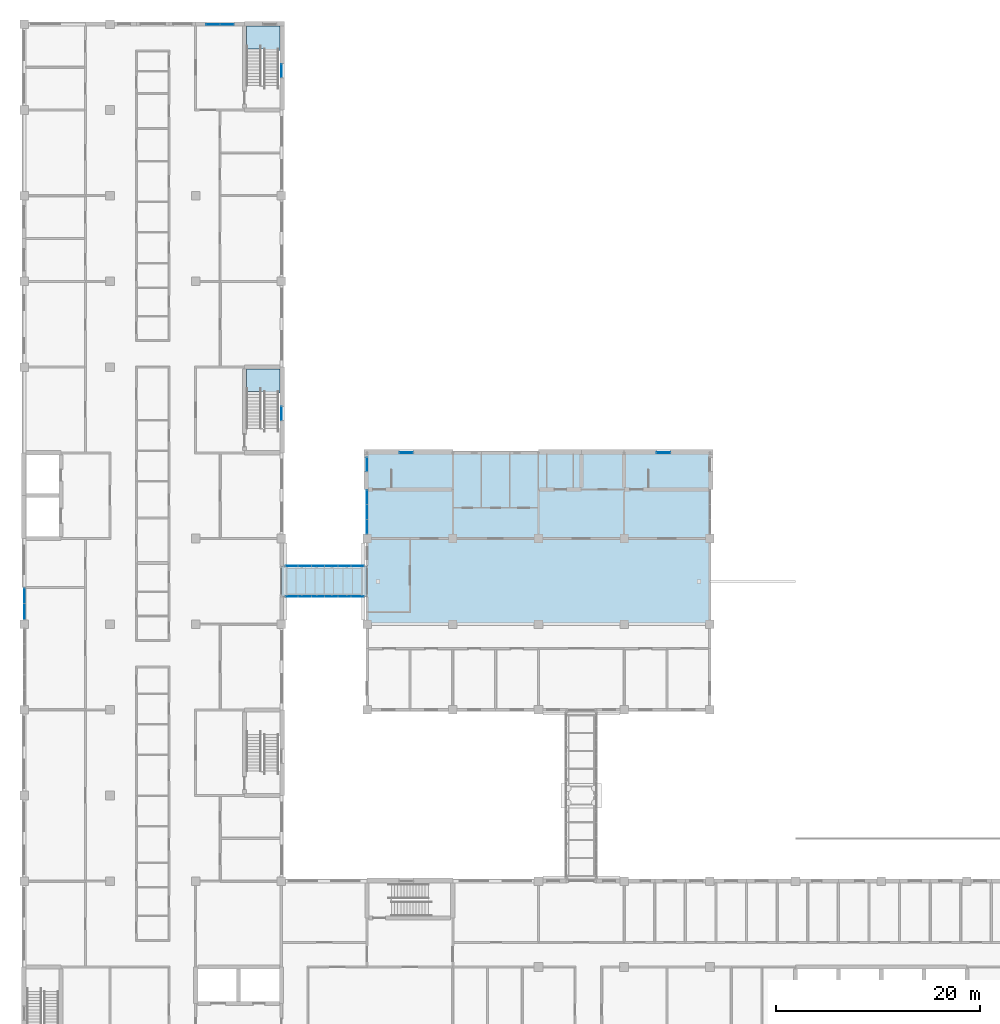
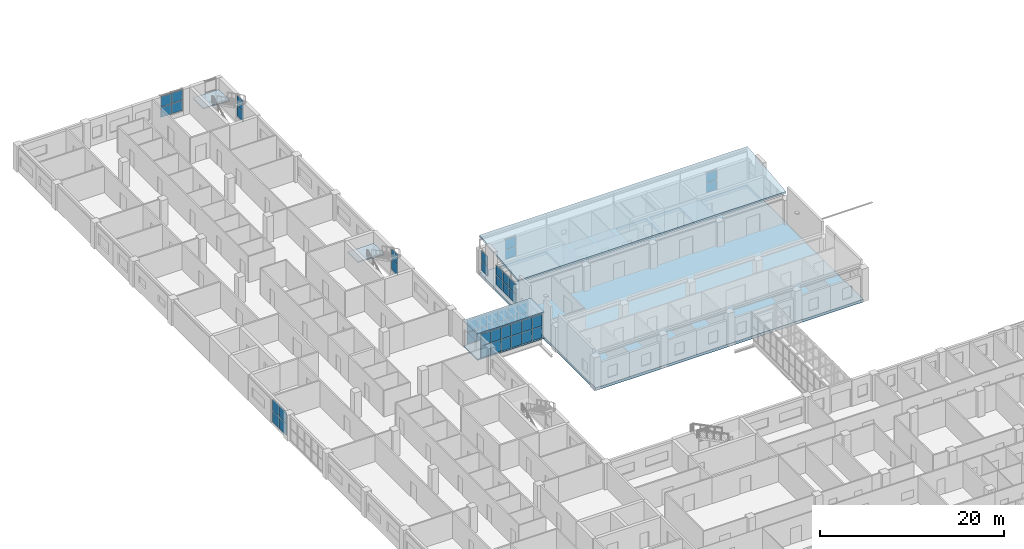
# One storey, part 47 of 94: 48 plates, 6 slabs, 12 elements without a shape of their own.
"""IFC4 building model written with IfcOpenShell, lengths in metres."""

from ifc_helpers import new_model, si_unit, direction, frame, origin, origin_2d, place, context, subcontext, project, spatial, polyline, rectangle, outline, extrude, material, layer, layer_set, type_object, element, aggregate, save


model = new_model("IFC4")

# Units and contexts
model_context = context("Model", 3, precision=1e-05, world=origin(), true_north=direction((0.0, 1.0)))
body_context = subcontext(model_context, "Body", "Model", "MODEL_VIEW")
ifc_project = project(units=[si_unit("LENGTHUNIT", "METRE"), si_unit("AREAUNIT", "SQUARE_METRE"), si_unit("VOLUMEUNIT", "CUBIC_METRE"), si_unit("PLANEANGLEUNIT", "RADIAN"), si_unit("MASSUNIT", "GRAM", prefix="KILO")], contexts=[model_context])

# Site, building, storey
site_placement = place(None, origin())
site = spatial("IfcSite", under=ifc_project, at=site_placement, CompositionType="ELEMENT")
building_placement = place(site_placement, origin())
building = spatial("IfcBuilding", under=site, at=building_placement, Name="Yavir Park General Hospital", CompositionType="ELEMENT")
storey_placement = place(building_placement, frame((0.0, 0.0, 4.5)))
storey = spatial("IfcBuildingStorey", under=building, at=storey_placement, Name="L01", CompositionType="ELEMENT", Elevation=4.5)

# Curtain wall, plates
ifc_material_1 = material(Name="Aluminium curtain wall frame with insulated glazing", Category="aluminium")
curtain_wall_type_1 = type_object("IfcCurtainWallType", Name="Bridge enclosure glazing, 3250 high, 1400 module", PredefinedType="NOTDEFINED", material=ifc_material_1)
curtain_wall_1_placement = place(storey_placement, origin())
curtain_wall_1 = element("IfcCurtainWall", 1, at=curtain_wall_1_placement, inside=storey, type_object=curtain_wall_type_1, Name="CW41 L01-007", PredefinedType="NOTDEFINED")
ifc_material_2 = material(Name="Solar-control insulated glazed unit 40 mm")
ifc_layer_1 = layer(ifc_material_2, 0.0400390625)
ifc_layer_set_1 = layer_set([ifc_layer_1], Name="Solar-control insulated glazed unit 40 mm")
plate_type_1 = type_object("IfcPlateType", Name="Bridge enclosure glazing, 3250 high panel 40", PredefinedType="CURTAIN_PANEL", material=ifc_layer_set_1)
plate_1_placement = place(storey_placement, frame((26.212890625, 61.5, 0.06005859375), z_axis=(0.0, 0.0, 1.0), x_axis=(1.0, 0.0, 0.0)))
plate_1 = element("IfcPlate", 2, at=plate_1_placement, type_object=plate_type_1, Name="CW41 panel 1.1", PredefinedType="CURTAIN_PANEL", context=body_context, shape_type="SweptSolid", body=[
    extrude(rectangle(XDim=1.205810546875, YDim=0.0400390625, at=origin_2d()), origin(), (0.0, 0.0, 1.0), 1.534912109375),
])
plate_2_placement = place(storey_placement, frame((26.212890625, 61.5, 1.6552734375), z_axis=(0.0, 0.0, 1.0), x_axis=(1.0, 0.0, 0.0)))
plate_2 = element("IfcPlate", 3, at=plate_2_placement, type_object=plate_type_1, Name="CW41 panel 1.2", PredefinedType="CURTAIN_PANEL", context=body_context, shape_type="SweptSolid", body=[
    extrude(rectangle(XDim=1.205810546875, YDim=0.0400390625, at=origin_2d()), origin(), (0.0, 0.0, 1.0), 1.534912109375),
])
plate_3_placement = place(storey_placement, frame((27.49365234375, 61.5, 0.06005859375), z_axis=(0.0, 0.0, 1.0), x_axis=(1.0, 0.0, 0.0)))
plate_3 = element("IfcPlate", 4, at=plate_3_placement, type_object=plate_type_1, Name="CW41 panel 2.1", PredefinedType="CURTAIN_PANEL", context=body_context, shape_type="SweptSolid", body=[
    extrude(rectangle(XDim=1.23583984375, YDim=0.0400390625, at=origin_2d()), origin(), (0.0, 0.0, 1.0), 1.534912109375),
])
plate_4_placement = place(storey_placement, frame((27.49365234375, 61.5, 1.6552734375), z_axis=(0.0, 0.0, 1.0), x_axis=(1.0, 0.0, 0.0)))
plate_4 = element("IfcPlate", 5, at=plate_4_placement, type_object=plate_type_1, Name="CW41 panel 2.2", PredefinedType="CURTAIN_PANEL", context=body_context, shape_type="SweptSolid", body=[
    extrude(rectangle(XDim=1.23583984375, YDim=0.0400390625, at=origin_2d()), origin(), (0.0, 0.0, 1.0), 1.534912109375),
])
plate_5_placement = place(storey_placement, frame((28.78955078125, 61.5, 0.06005859375), z_axis=(0.0, 0.0, 1.0), x_axis=(1.0, 0.0, 0.0)))
plate_5 = element("IfcPlate", 6, at=plate_5_placement, type_object=plate_type_1, Name="CW41 panel 3.1", PredefinedType="CURTAIN_PANEL", context=body_context, shape_type="SweptSolid", body=[
    extrude(rectangle(XDim=1.23583984375, YDim=0.0400390625, at=origin_2d()), origin(), (0.0, 0.0, 1.0), 1.534912109375),
])
plate_6_placement = place(storey_placement, frame((28.78955078125, 61.5, 1.6552734375), z_axis=(0.0, 0.0, 1.0), x_axis=(1.0, 0.0, 0.0)))
plate_6 = element("IfcPlate", 7, at=plate_6_placement, type_object=plate_type_1, Name="CW41 panel 3.2", PredefinedType="CURTAIN_PANEL", context=body_context, shape_type="SweptSolid", body=[
    extrude(rectangle(XDim=1.23583984375, YDim=0.0400390625, at=origin_2d()), origin(), (0.0, 0.0, 1.0), 1.534912109375),
])
plate_7_placement = place(storey_placement, frame((30.08544921875, 61.5, 0.06005859375), z_axis=(0.0, 0.0, 1.0), x_axis=(1.0, 0.0, 0.0)))
plate_7 = element("IfcPlate", 8, at=plate_7_placement, type_object=plate_type_1, Name="CW41 panel 4.1", PredefinedType="CURTAIN_PANEL", context=body_context, shape_type="SweptSolid", body=[
    extrude(rectangle(XDim=1.23583984375, YDim=0.0400390625, at=origin_2d()), origin(), (0.0, 0.0, 1.0), 1.534912109375),
])
plate_8_placement = place(storey_placement, frame((30.08544921875, 61.5, 1.6552734375), z_axis=(0.0, 0.0, 1.0), x_axis=(1.0, 0.0, 0.0)))
plate_8 = element("IfcPlate", 9, at=plate_8_placement, type_object=plate_type_1, Name="CW41 panel 4.2", PredefinedType="CURTAIN_PANEL", context=body_context, shape_type="SweptSolid", body=[
    extrude(rectangle(XDim=1.23583984375, YDim=0.0400390625, at=origin_2d()), origin(), (0.0, 0.0, 1.0), 1.534912109375),
])
plate_9_placement = place(storey_placement, frame((31.38134765625, 61.5, 0.06005859375), z_axis=(0.0, 0.0, 1.0), x_axis=(1.0, 0.0, 0.0)))
plate_9 = element("IfcPlate", 10, at=plate_9_placement, type_object=plate_type_1, Name="CW41 panel 5.1", PredefinedType="CURTAIN_PANEL", context=body_context, shape_type="SweptSolid", body=[
    extrude(rectangle(XDim=1.23583984375, YDim=0.0400390625, at=origin_2d()), origin(), (0.0, 0.0, 1.0), 1.534912109375),
])
plate_10_placement = place(storey_placement, frame((31.38134765625, 61.5, 1.6552734375), z_axis=(0.0, 0.0, 1.0), x_axis=(1.0, 0.0, 0.0)))
plate_10 = element("IfcPlate", 11, at=plate_10_placement, type_object=plate_type_1, Name="CW41 panel 5.2", PredefinedType="CURTAIN_PANEL", context=body_context, shape_type="SweptSolid", body=[
    extrude(rectangle(XDim=1.23583984375, YDim=0.0400390625, at=origin_2d()), origin(), (0.0, 0.0, 1.0), 1.534912109375),
])
plate_11_placement = place(storey_placement, frame((32.662109375, 61.5, 0.06005859375), z_axis=(0.0, 0.0, 1.0), x_axis=(1.0, 0.0, 0.0)))
plate_11 = element("IfcPlate", 12, at=plate_11_placement, type_object=plate_type_1, Name="CW41 panel 6.1", PredefinedType="CURTAIN_PANEL", context=body_context, shape_type="SweptSolid", body=[
    extrude(rectangle(XDim=1.205810546875, YDim=0.0400390625, at=origin_2d()), origin(), (0.0, 0.0, 1.0), 1.534912109375),
])
plate_12_placement = place(storey_placement, frame((32.662109375, 61.5, 1.6552734375), z_axis=(0.0, 0.0, 1.0), x_axis=(1.0, 0.0, 0.0)))
plate_12 = element("IfcPlate", 13, at=plate_12_placement, type_object=plate_type_1, Name="CW41 panel 6.2", PredefinedType="CURTAIN_PANEL", context=body_context, shape_type="SweptSolid", body=[
    extrude(rectangle(XDim=1.205810546875, YDim=0.0400390625, at=origin_2d()), origin(), (0.0, 0.0, 1.0), 1.534912109375),
])
aggregate(curtain_wall_1, [plate_1, plate_2, plate_3, plate_4, plate_5, plate_6, plate_7, plate_8, plate_9, plate_10, plate_11, plate_12])

curtain_wall_2_placement = place(storey_placement, origin())
curtain_wall_2 = element("IfcCurtainWall", 14, at=curtain_wall_2_placement, inside=storey, type_object=curtain_wall_type_1, Name="CW41 L01-008", PredefinedType="NOTDEFINED")
plate_13_placement = place(storey_placement, frame((26.212890625, 64.5, 0.06005859375), z_axis=(0.0, 0.0, 1.0), x_axis=(1.0, 0.0, 0.0)))
plate_13 = element("IfcPlate", 15, at=plate_13_placement, type_object=plate_type_1, Name="CW41 panel 1.1", PredefinedType="CURTAIN_PANEL", context=body_context, shape_type="SweptSolid", body=[
    extrude(rectangle(XDim=1.205810546875, YDim=0.0400390625, at=origin_2d()), origin(), (0.0, 0.0, 1.0), 1.534912109375),
])
plate_14_placement = place(storey_placement, frame((26.212890625, 64.5, 1.6552734375), z_axis=(0.0, 0.0, 1.0), x_axis=(1.0, 0.0, 0.0)))
plate_14 = element("IfcPlate", 16, at=plate_14_placement, type_object=plate_type_1, Name="CW41 panel 1.2", PredefinedType="CURTAIN_PANEL", context=body_context, shape_type="SweptSolid", body=[
    extrude(rectangle(XDim=1.205810546875, YDim=0.0400390625, at=origin_2d()), origin(), (0.0, 0.0, 1.0), 1.534912109375),
])
plate_15_placement = place(storey_placement, frame((27.49365234375, 64.5, 0.06005859375), z_axis=(0.0, 0.0, 1.0), x_axis=(1.0, 0.0, 0.0)))
plate_15 = element("IfcPlate", 17, at=plate_15_placement, type_object=plate_type_1, Name="CW41 panel 2.1", PredefinedType="CURTAIN_PANEL", context=body_context, shape_type="SweptSolid", body=[
    extrude(rectangle(XDim=1.23583984375, YDim=0.0400390625, at=origin_2d()), origin(), (0.0, 0.0, 1.0), 1.534912109375),
])
plate_16_placement = place(storey_placement, frame((27.49365234375, 64.5, 1.6552734375), z_axis=(0.0, 0.0, 1.0), x_axis=(1.0, 0.0, 0.0)))
plate_16 = element("IfcPlate", 18, at=plate_16_placement, type_object=plate_type_1, Name="CW41 panel 2.2", PredefinedType="CURTAIN_PANEL", context=body_context, shape_type="SweptSolid", body=[
    extrude(rectangle(XDim=1.23583984375, YDim=0.0400390625, at=origin_2d()), origin(), (0.0, 0.0, 1.0), 1.534912109375),
])
plate_17_placement = place(storey_placement, frame((28.78955078125, 64.5, 0.06005859375), z_axis=(0.0, 0.0, 1.0), x_axis=(1.0, 0.0, 0.0)))
plate_17 = element("IfcPlate", 19, at=plate_17_placement, type_object=plate_type_1, Name="CW41 panel 3.1", PredefinedType="CURTAIN_PANEL", context=body_context, shape_type="SweptSolid", body=[
    extrude(rectangle(XDim=1.23583984375, YDim=0.0400390625, at=origin_2d()), origin(), (0.0, 0.0, 1.0), 1.534912109375),
])
plate_18_placement = place(storey_placement, frame((28.78955078125, 64.5, 1.6552734375), z_axis=(0.0, 0.0, 1.0), x_axis=(1.0, 0.0, 0.0)))
plate_18 = element("IfcPlate", 20, at=plate_18_placement, type_object=plate_type_1, Name="CW41 panel 3.2", PredefinedType="CURTAIN_PANEL", context=body_context, shape_type="SweptSolid", body=[
    extrude(rectangle(XDim=1.23583984375, YDim=0.0400390625, at=origin_2d()), origin(), (0.0, 0.0, 1.0), 1.534912109375),
])
plate_19_placement = place(storey_placement, frame((30.08544921875, 64.5, 0.06005859375), z_axis=(0.0, 0.0, 1.0), x_axis=(1.0, 0.0, 0.0)))
plate_19 = element("IfcPlate", 21, at=plate_19_placement, type_object=plate_type_1, Name="CW41 panel 4.1", PredefinedType="CURTAIN_PANEL", context=body_context, shape_type="SweptSolid", body=[
    extrude(rectangle(XDim=1.23583984375, YDim=0.0400390625, at=origin_2d()), origin(), (0.0, 0.0, 1.0), 1.534912109375),
])
plate_20_placement = place(storey_placement, frame((30.08544921875, 64.5, 1.6552734375), z_axis=(0.0, 0.0, 1.0), x_axis=(1.0, 0.0, 0.0)))
plate_20 = element("IfcPlate", 22, at=plate_20_placement, type_object=plate_type_1, Name="CW41 panel 4.2", PredefinedType="CURTAIN_PANEL", context=body_context, shape_type="SweptSolid", body=[
    extrude(rectangle(XDim=1.23583984375, YDim=0.0400390625, at=origin_2d()), origin(), (0.0, 0.0, 1.0), 1.534912109375),
])
plate_21_placement = place(storey_placement, frame((31.38134765625, 64.5, 0.06005859375), z_axis=(0.0, 0.0, 1.0), x_axis=(1.0, 0.0, 0.0)))
plate_21 = element("IfcPlate", 23, at=plate_21_placement, type_object=plate_type_1, Name="CW41 panel 5.1", PredefinedType="CURTAIN_PANEL", context=body_context, shape_type="SweptSolid", body=[
    extrude(rectangle(XDim=1.23583984375, YDim=0.0400390625, at=origin_2d()), origin(), (0.0, 0.0, 1.0), 1.534912109375),
])
plate_22_placement = place(storey_placement, frame((31.38134765625, 64.5, 1.6552734375), z_axis=(0.0, 0.0, 1.0), x_axis=(1.0, 0.0, 0.0)))
plate_22 = element("IfcPlate", 24, at=plate_22_placement, type_object=plate_type_1, Name="CW41 panel 5.2", PredefinedType="CURTAIN_PANEL", context=body_context, shape_type="SweptSolid", body=[
    extrude(rectangle(XDim=1.23583984375, YDim=0.0400390625, at=origin_2d()), origin(), (0.0, 0.0, 1.0), 1.534912109375),
])
plate_23_placement = place(storey_placement, frame((32.662109375, 64.5, 0.06005859375), z_axis=(0.0, 0.0, 1.0), x_axis=(1.0, 0.0, 0.0)))
plate_23 = element("IfcPlate", 25, at=plate_23_placement, type_object=plate_type_1, Name="CW41 panel 6.1", PredefinedType="CURTAIN_PANEL", context=body_context, shape_type="SweptSolid", body=[
    extrude(rectangle(XDim=1.205810546875, YDim=0.0400390625, at=origin_2d()), origin(), (0.0, 0.0, 1.0), 1.534912109375),
])
plate_24_placement = place(storey_placement, frame((32.662109375, 64.5, 1.6552734375), z_axis=(0.0, 0.0, 1.0), x_axis=(1.0, 0.0, 0.0)))
plate_24 = element("IfcPlate", 26, at=plate_24_placement, type_object=plate_type_1, Name="CW41 panel 6.2", PredefinedType="CURTAIN_PANEL", context=body_context, shape_type="SweptSolid", body=[
    extrude(rectangle(XDim=1.205810546875, YDim=0.0400390625, at=origin_2d()), origin(), (0.0, 0.0, 1.0), 1.534912109375),
])
aggregate(curtain_wall_2, [plate_13, plate_14, plate_15, plate_16, plate_17, plate_18, plate_19, plate_20, plate_21, plate_22, plate_23, plate_24])

ifc_material_3 = material(Name="Aluminium curtain wall frame with insulated glazing", Category="aluminium")
curtain_wall_type_2 = type_object("IfcCurtainWallType", Name="Clinical corridor end glazing, 2700 high, 1400 module", PredefinedType="NOTDEFINED", material=ifc_material_3)
curtain_wall_3_placement = place(storey_placement, origin())
curtain_wall_3 = element("IfcCurtainWall", 27, at=curtain_wall_3_placement, inside=storey, type_object=curtain_wall_type_2, Name="CW54 L01-022", PredefinedType="NOTDEFINED")
ifc_material_4 = material(Name="Solar-control insulated glazed unit 40 mm")
ifc_layer_2 = layer(ifc_material_4, 0.0400390625)
ifc_layer_set_2 = layer_set([ifc_layer_2], Name="Solar-control insulated glazed unit 40 mm")
plate_type_2 = type_object("IfcPlateType", Name="Clinical corridor end glazing, 2700 high panel 40", PredefinedType="CURTAIN_PANEL", material=ifc_layer_set_2)
plate_25_placement = place(storey_placement, frame((33.60009765625, 68.36669921875, 0.650146484375), z_axis=(0.0, 0.0, 1.0), x_axis=(0.0, 1.0, 0.0)))
plate_25 = element("IfcPlate", 28, at=plate_25_placement, type_object=plate_type_2, Name="CW54 panel 1.1", PredefinedType="CURTAIN_PANEL", context=body_context, shape_type="SweptSolid", body=[
    extrude(rectangle(XDim=1.38330078125, YDim=0.0400390625, at=origin_2d()), origin(), (0.0, 0.0, 1.0), 1.27490234375),
])
plate_26_placement = place(storey_placement, frame((33.60009765625, 68.36669921875, 1.97509765625), z_axis=(0.0, 0.0, 1.0), x_axis=(0.0, 1.0, 0.0)))
plate_26 = element("IfcPlate", 29, at=plate_26_placement, type_object=plate_type_2, Name="CW54 panel 1.2", PredefinedType="CURTAIN_PANEL", context=body_context, shape_type="SweptSolid", body=[
    extrude(rectangle(XDim=1.38330078125, YDim=0.0400390625, at=origin_2d()), origin(), (0.0, 0.0, 1.0), 1.27490234375),
])
plate_27_placement = place(storey_placement, frame((33.60009765625, 69.8125, 0.650146484375), z_axis=(0.0, 0.0, 1.0), x_axis=(0.0, 1.0, 0.0)))
plate_27 = element("IfcPlate", 30, at=plate_27_placement, type_object=plate_type_2, Name="CW54 panel 2.1", PredefinedType="CURTAIN_PANEL", context=body_context, shape_type="SweptSolid", body=[
    extrude(rectangle(XDim=1.408447265625, YDim=0.0400390625, at=origin_2d()), origin(), (0.0, 0.0, 1.0), 1.27490234375),
])
plate_28_placement = place(storey_placement, frame((33.60009765625, 69.8125, 1.97509765625), z_axis=(0.0, 0.0, 1.0), x_axis=(0.0, 1.0, 0.0)))
plate_28 = element("IfcPlate", 31, at=plate_28_placement, type_object=plate_type_2, Name="CW54 panel 2.2", PredefinedType="CURTAIN_PANEL", context=body_context, shape_type="SweptSolid", body=[
    extrude(rectangle(XDim=1.408447265625, YDim=0.0400390625, at=origin_2d()), origin(), (0.0, 0.0, 1.0), 1.27490234375),
])
plate_29_placement = place(storey_placement, frame((33.60009765625, 71.25830078125, 0.650146484375), z_axis=(0.0, 0.0, 1.0), x_axis=(0.0, 1.0, 0.0)))
plate_29 = element("IfcPlate", 32, at=plate_29_placement, type_object=plate_type_2, Name="CW54 panel 3.1", PredefinedType="CURTAIN_PANEL", context=body_context, shape_type="SweptSolid", body=[
    extrude(rectangle(XDim=1.38330078125, YDim=0.0400390625, at=origin_2d()), origin(), (0.0, 0.0, 1.0), 1.27490234375),
])
plate_30_placement = place(storey_placement, frame((33.60009765625, 71.25830078125, 1.97509765625), z_axis=(0.0, 0.0, 1.0), x_axis=(0.0, 1.0, 0.0)))
plate_30 = element("IfcPlate", 33, at=plate_30_placement, type_object=plate_type_2, Name="CW54 panel 3.2", PredefinedType="CURTAIN_PANEL", context=body_context, shape_type="SweptSolid", body=[
    extrude(rectangle(XDim=1.38330078125, YDim=0.0400390625, at=origin_2d()), origin(), (0.0, 0.0, 1.0), 1.27490234375),
])
aggregate(curtain_wall_3, [plate_25, plate_26, plate_27, plate_28, plate_29, plate_30])

ifc_material_5 = material(Name="Aluminium curtain wall frame with insulated glazing", Category="aluminium")
curtain_wall_type_3 = type_object("IfcCurtainWallType", Name="Clinical corridor end glazing, 2850 high, 1400 module", PredefinedType="NOTDEFINED", material=ifc_material_5)
curtain_wall_4_placement = place(storey_placement, origin())
curtain_wall_4 = element("IfcCurtainWall", 34, at=curtain_wall_4_placement, inside=storey, type_object=curtain_wall_type_3, Name="CW18 L01-011", PredefinedType="NOTDEFINED")
ifc_material_6 = material(Name="Solar-control insulated glazed unit 40 mm")
ifc_layer_3 = layer(ifc_material_6, 0.0400390625)
ifc_layer_set_3 = layer_set([ifc_layer_3], Name="Solar-control insulated glazed unit 40 mm")
plate_type_3 = type_object("IfcPlateType", Name="Clinical corridor end glazing, 2850 high panel 40", PredefinedType="CURTAIN_PANEL", material=ifc_layer_set_3)
plate_31_placement = place(storey_placement, frame((18.512451171875, 117.60009765625, 0.64990234375), z_axis=(0.0, 0.0, 1.0), x_axis=(1.0, 0.0, 0.0)))
plate_31 = element("IfcPlate", 35, at=plate_31_placement, type_object=plate_type_3, Name="CW18 panel 1.1", PredefinedType="CURTAIN_PANEL", context=body_context, shape_type="SweptSolid", body=[
    extrude(rectangle(XDim=1.324951171875, YDim=0.0400390625, at=origin_2d()), origin(), (0.0, 0.0, 1.0), 1.35009765625),
])
plate_32_placement = place(storey_placement, frame((18.512451171875, 117.60009765625, 2.050048828125), z_axis=(0.0, 0.0, 1.0), x_axis=(1.0, 0.0, 0.0)))
plate_32 = element("IfcPlate", 36, at=plate_32_placement, type_object=plate_type_3, Name="CW18 panel 1.2", PredefinedType="CURTAIN_PANEL", context=body_context, shape_type="SweptSolid", body=[
    extrude(rectangle(XDim=1.324951171875, YDim=0.0400390625, at=origin_2d()), origin(), (0.0, 0.0, 1.0), 1.35009765625),
])
plate_33_placement = place(storey_placement, frame((19.887451171875, 117.60009765625, 0.64990234375), z_axis=(0.0, 0.0, 1.0), x_axis=(1.0, 0.0, 0.0)))
plate_33 = element("IfcPlate", 37, at=plate_33_placement, type_object=plate_type_3, Name="CW18 panel 2.1", PredefinedType="CURTAIN_PANEL", context=body_context, shape_type="SweptSolid", body=[
    extrude(rectangle(XDim=1.324951171875, YDim=0.0400390625, at=origin_2d()), origin(), (0.0, 0.0, 1.0), 1.35009765625),
])
plate_34_placement = place(storey_placement, frame((19.887451171875, 117.60009765625, 2.050048828125), z_axis=(0.0, 0.0, 1.0), x_axis=(1.0, 0.0, 0.0)))
plate_34 = element("IfcPlate", 38, at=plate_34_placement, type_object=plate_type_3, Name="CW18 panel 2.2", PredefinedType="CURTAIN_PANEL", context=body_context, shape_type="SweptSolid", body=[
    extrude(rectangle(XDim=1.324951171875, YDim=0.0400390625, at=origin_2d()), origin(), (0.0, 0.0, 1.0), 1.35009765625),
])
aggregate(curtain_wall_4, [plate_31, plate_32, plate_33, plate_34])

# Stair, slab
ifc_material_7 = material(Name="Concrete C30/37", Category="concrete")
stair_type = type_object("IfcStairType", Name="Patient escape stair, 26 risers of 150 mm, 1400 mm flights", PredefinedType="HALF_TURN_STAIR", material=ifc_material_7)
stair_1_placement = place(storey_placement, origin())
stair_1 = element("IfcStair", 39, at=stair_1_placement, inside=storey, type_object=stair_type, Name="Stair SW2, L01 to L02", PredefinedType="HALF_TURN_STAIR")
ifc_material_8 = material(Name="Concrete C30/37", Category="concrete")
ifc_layer_4 = layer(ifc_material_8, 0.159912109375)
ifc_layer_set_4 = layer_set([ifc_layer_4], Name="Concrete C30/37")
slab_type_1 = type_object("IfcSlabType", Name="Patient escape stair half landing, reinforced concrete 160 mm", PredefinedType="LANDING", material=ifc_layer_set_4)
slab_1_placement = place(storey_placement, frame((0.0, 0.0, 1.7900390625)))
slab_1 = element("IfcSlab", 40, at=slab_1_placement, type_object=slab_type_1, Name="SW2 landing 1", PredefinedType="LANDING", context=body_context, shape_type="SweptSolid", body=[
    extrude(outline(polyline([(21.800048828125, 81.598388671875), (21.800048828125, 83.800048828125), (25.050048828125, 83.800048828125), (25.050048828125, 81.449951171875), (23.5, 81.449951171875), (23.5, 81.598388671875), (21.800048828125, 81.598388671875)])), origin(), (0.0, 0.0, 1.0), 0.159912109375),
])
aggregate(stair_1, [slab_1])

stair_2_placement = place(storey_placement, origin())
stair_2 = element("IfcStair", 41, at=stair_2_placement, inside=storey, type_object=stair_type, Name="Stair SW3, L01 to L02", PredefinedType="HALF_TURN_STAIR")
slab_2_placement = place(storey_placement, frame((0.0, 0.0, 1.7900390625)))
slab_2 = element("IfcSlab", 42, at=slab_2_placement, type_object=slab_type_1, Name="SW3 landing 1", PredefinedType="LANDING", context=body_context, shape_type="SweptSolid", body=[
    extrude(outline(polyline([(21.800048828125, 115.198486328125), (21.800048828125, 117.449951171875), (25.050048828125, 117.449951171875), (25.050048828125, 115.050048828125), (23.5, 115.050048828125), (23.5, 115.198486328125), (21.800048828125, 115.198486328125)])), origin(), (0.0, 0.0, 1.0), 0.159912109375),
])
aggregate(stair_2, [slab_2])

# Curtain wall, plates
ifc_material_9 = material(Name="Aluminium curtain wall frame with insulated glazing", Category="aluminium")
curtain_wall_type_4 = type_object("IfcCurtainWallType", Name="Pool hall glazing, 3150 high, 1400 module", PredefinedType="NOTDEFINED", material=ifc_material_9)
curtain_wall_5_placement = place(storey_placement, origin())
curtain_wall_5 = element("IfcCurtainWall", 43, at=curtain_wall_5_placement, inside=storey, type_object=curtain_wall_type_4, Name="CW20 L01-018", PredefinedType="NOTDEFINED")
ifc_material_10 = material(Name="Solar-control insulated glazed unit 40 mm")
ifc_layer_5 = layer(ifc_material_10, 0.0400390625)
ifc_layer_set_5 = layer_set([ifc_layer_5], Name="Solar-control insulated glazed unit 40 mm")
plate_type_4 = type_object("IfcPlateType", Name="Pool hall glazing, 3150 high panel 40", PredefinedType="CURTAIN_PANEL", material=ifc_layer_set_5)
plate_35_placement = place(storey_placement, frame((0.0, 60.03369140625, 0.06005859375), z_axis=(0.0, 0.0, 1.0), x_axis=(0.0, 1.0, 0.0)))
plate_35 = element("IfcPlate", 44, at=plate_35_placement, type_object=plate_type_4, Name="CW20 panel 1.1", PredefinedType="CURTAIN_PANEL", context=body_context, shape_type="SweptSolid", body=[
    extrude(rectangle(XDim=1.49755859375, YDim=0.0400390625, at=origin_2d()), origin(), (0.0, 0.0, 1.0), 1.485107421875),
])
plate_36_placement = place(storey_placement, frame((0.0, 60.03369140625, 1.60498046875), z_axis=(0.0, 0.0, 1.0), x_axis=(0.0, 1.0, 0.0)))
plate_36 = element("IfcPlate", 45, at=plate_36_placement, type_object=plate_type_4, Name="CW20 panel 1.2", PredefinedType="CURTAIN_PANEL", context=body_context, shape_type="SweptSolid", body=[
    extrude(rectangle(XDim=1.49755859375, YDim=0.0400390625, at=origin_2d()), origin(), (0.0, 0.0, 1.0), 1.485107421875),
])
plate_37_placement = place(storey_placement, frame((0.0, 61.59130859375, 0.06005859375), z_axis=(0.0, 0.0, 1.0), x_axis=(0.0, 1.0, 0.0)))
plate_37 = element("IfcPlate", 46, at=plate_37_placement, type_object=plate_type_4, Name="CW20 panel 2.1", PredefinedType="CURTAIN_PANEL", context=body_context, shape_type="SweptSolid", body=[
    extrude(rectangle(XDim=1.49755859375, YDim=0.0400390625, at=origin_2d()), origin(), (0.0, 0.0, 1.0), 1.485107421875),
])
plate_38_placement = place(storey_placement, frame((0.0, 61.59130859375, 1.60498046875), z_axis=(0.0, 0.0, 1.0), x_axis=(0.0, 1.0, 0.0)))
plate_38 = element("IfcPlate", 47, at=plate_38_placement, type_object=plate_type_4, Name="CW20 panel 2.2", PredefinedType="CURTAIN_PANEL", context=body_context, shape_type="SweptSolid", body=[
    extrude(rectangle(XDim=1.49755859375, YDim=0.0400390625, at=origin_2d()), origin(), (0.0, 0.0, 1.0), 1.485107421875),
])
aggregate(curtain_wall_5, [plate_35, plate_36, plate_37, plate_38])

# Slabs
ifc_material_11 = material(Name="Concrete C35/45", Category="concrete")
ifc_layer_6 = layer(ifc_material_11, 0.14990234375)
ifc_layer_set_6 = layer_set([ifc_layer_6], Name="Concrete C35/45")
slab_type_2 = type_object("IfcSlabType", Name="RC SLAB FLOOR 150", PredefinedType="FLOOR", material=ifc_layer_set_6)
slab_3_placement = place(storey_placement, frame((0.0, 0.0, -0.14990234375)))
element("IfcSlab", 48, at=slab_3_placement, inside=storey, type_object=slab_type_2, Name="S:BR_W:deck", PredefinedType="FLOOR", context=body_context, shape_type="SweptSolid", body=[
    extrude(outline(polyline([(33.60009765625, 61.5), (33.60009765625, 64.5), (25.199951171875, 64.5), (25.199951171875, 61.5), (33.60009765625, 61.5)])), origin(), (0.0, 0.0, 1.0), 0.14990234375),
])
ifc_material_12 = material(Name="Concrete C35/45", Category="concrete")
ifc_layer_7 = layer(ifc_material_12, 0.360107421875)
ifc_layer_set_7 = layer_set([ifc_layer_7], Name="Concrete C35/45")
slab_type_3 = type_object("IfcSlabType", Name="RC SLAB FLOOR 360", PredefinedType="FLOOR", material=ifc_layer_set_7)
slab_4_placement = place(storey_placement, frame((0.0, 0.0, -0.360107421875)))
element("IfcSlab", 49, at=slab_4_placement, inside=storey, type_object=slab_type_3, Name="S:L01:1", PredefinedType="FLOOR", context=body_context, shape_type="SweptSolid", body=[
    extrude(outline(polyline([(67.199951171875, 75.60009765625), (33.60009765625, 75.60009765625), (33.60009765625, 50.39990234375), (67.199951171875, 50.39990234375), (67.199951171875, 75.60009765625)]), holes=[polyline([(54.39990234375, 72.199951171875), (50.60009765625, 72.199951171875), (50.60009765625, 75.39990234375), (54.39990234375, 75.39990234375), (54.39990234375, 72.199951171875)]), polyline([(58.60009765625, 72.199951171875), (54.800048828125, 72.199951171875), (54.800048828125, 75.39990234375), (58.60009765625, 75.39990234375), (58.60009765625, 72.199951171875)]), polyline([(36.00146484375, 75.449951171875), (41.89990234375, 75.449951171875), (41.89990234375, 72.199951171875), (36.151611328125, 72.199951171875), (36.151611328125, 73.60009765625), (36.00146484375, 73.60009765625), (36.00146484375, 75.449951171875)]), polyline([(67.050048828125, 72.199951171875), (61.3515625, 72.199951171875), (61.3515625, 73.60009765625), (61.201416015625, 73.60009765625), (61.201416015625, 75.449951171875), (67.050048828125, 75.449951171875), (67.050048828125, 72.199951171875)])]), origin(), (0.0, 0.0, 1.0), 0.360107421875),
])
ifc_material_13 = material(Name="Concrete C35/45", Category="concrete")
ifc_layer_8 = layer(ifc_material_13, 0.25)
ifc_layer_set_8 = layer_set([ifc_layer_8], Name="Concrete C35/45")
slab_type_4 = type_object("IfcSlabType", Name="RC SLAB ROOF 250", PredefinedType="ROOF", material=ifc_layer_set_8)
slab_5_placement = place(storey_placement, frame((67.199951171875, 67.199951171875, 4.10009765625), z_axis=(0.0, 0.0, 1.0), x_axis=(0.0, 1.0, 0.0)))
element("IfcSlab", 50, at=slab_5_placement, inside=storey, type_object=slab_type_4, Name="RF:CLIN:N1", PredefinedType="ROOF", context=body_context, shape_type="SweptSolid", body=[
    extrude(outline(polyline([(0.0, 0.0), (8.400146484375, 0.89990234375), (8.400146484375, 0.6484375), (0.0, -0.25146484375), (0.0, 0.0)])), frame((0.0, 33.599853515625, 0.0), z_axis=(0.0, -1.0, 0.0), x_axis=(1.0, 0.0, 0.0)), (0.0, 0.0, 1.0), 33.599853515625),
])
ifc_material_14 = material(Name="Toughened safety glass", Category="glass")
ifc_layer_9 = layer(ifc_material_14, 0.14990234375)
ifc_layer_set_9 = layer_set([ifc_layer_9], Name="Toughened safety glass")
slab_type_5 = type_object("IfcSlabType", Name="Safety glass roof panel 150", PredefinedType="ROOF", material=ifc_layer_set_9)
slab_6_placement = place(storey_placement, frame((25.199951171875, 61.5, 3.39990234375), z_axis=(0.0, 0.0, 1.0), x_axis=(1.0, 0.0, 0.0)))
element("IfcSlab", 51, at=slab_6_placement, inside=storey, type_object=slab_type_5, Name="West bridge roof glazing BRW-P1", PredefinedType="ROOF", context=body_context, shape_type="SweptSolid", body=[
    extrude(outline(polyline([(0.0, 0.0), (8.400146484375, 0.0), (8.400146484375, 3.0), (0.0, 3.0), (0.0, 0.0)])), origin(), (0.0, 0.0, -1.0), 0.14990234375),
])

# Curtain wall, plates
ifc_material_15 = material(Name="Aluminium curtain wall frame with insulated glazing", Category="aluminium")
curtain_wall_type_5 = type_object("IfcCurtainWallType", Name="Stair light slot, podium, 2700 high, 1400 module", PredefinedType="NOTDEFINED", material=ifc_material_15)
curtain_wall_6_placement = place(storey_placement, origin())
curtain_wall_6 = element("IfcCurtainWall", 52, at=curtain_wall_6_placement, inside=storey, type_object=curtain_wall_type_5, Name="CW53 L01-009", PredefinedType="NOTDEFINED")
ifc_material_16 = material(Name="Fire-resisting glazed unit 70 mm")
ifc_layer_10 = layer(ifc_material_16, 0.070068359375)
ifc_layer_set_10 = layer_set([ifc_layer_10], Name="Fire-resisting glazed unit 70 mm")
plate_type_5 = type_object("IfcPlateType", Name="Stair light slot, podium, 2700 high panel 70", PredefinedType="CURTAIN_PANEL", material=ifc_layer_set_10)
plate_39_placement = place(storey_placement, frame((37.449951171875, 75.60009765625, 0.650146484375), z_axis=(0.0, 0.0, 1.0), x_axis=(1.0, 0.0, 0.0)))
plate_39 = element("IfcPlate", 53, at=plate_39_placement, type_object=plate_type_5, Name="CW53 panel 1.1", PredefinedType="CURTAIN_PANEL", context=body_context, shape_type="SweptSolid", body=[
    extrude(rectangle(XDim=1.300048828125, YDim=0.070068359375, at=origin_2d()), origin(), (0.0, 0.0, 1.0), 1.27490234375),
])
plate_40_placement = place(storey_placement, frame((37.449951171875, 75.60009765625, 1.97509765625), z_axis=(0.0, 0.0, 1.0), x_axis=(1.0, 0.0, 0.0)))
plate_40 = element("IfcPlate", 54, at=plate_40_placement, type_object=plate_type_5, Name="CW53 panel 1.2", PredefinedType="CURTAIN_PANEL", context=body_context, shape_type="SweptSolid", body=[
    extrude(rectangle(XDim=1.300048828125, YDim=0.070068359375, at=origin_2d()), origin(), (0.0, 0.0, 1.0), 1.27490234375),
])
aggregate(curtain_wall_6, [plate_39, plate_40])

curtain_wall_7_placement = place(storey_placement, origin())
curtain_wall_7 = element("IfcCurtainWall", 55, at=curtain_wall_7_placement, inside=storey, type_object=curtain_wall_type_5, Name="CW53 L01-010", PredefinedType="NOTDEFINED")
plate_41_placement = place(storey_placement, frame((62.64990234375, 75.60009765625, 0.650146484375), z_axis=(0.0, 0.0, 1.0), x_axis=(1.0, 0.0, 0.0)))
plate_41 = element("IfcPlate", 56, at=plate_41_placement, type_object=plate_type_5, Name="CW53 panel 1.1", PredefinedType="CURTAIN_PANEL", context=body_context, shape_type="SweptSolid", body=[
    extrude(rectangle(XDim=1.300048828125, YDim=0.070068359375, at=origin_2d()), origin(), (0.0, 0.0, 1.0), 1.27490234375),
])
plate_42_placement = place(storey_placement, frame((62.64990234375, 75.60009765625, 1.97509765625), z_axis=(0.0, 0.0, 1.0), x_axis=(1.0, 0.0, 0.0)))
plate_42 = element("IfcPlate", 57, at=plate_42_placement, type_object=plate_type_5, Name="CW53 panel 1.2", PredefinedType="CURTAIN_PANEL", context=body_context, shape_type="SweptSolid", body=[
    extrude(rectangle(XDim=1.300048828125, YDim=0.070068359375, at=origin_2d()), origin(), (0.0, 0.0, 1.0), 1.27490234375),
])
aggregate(curtain_wall_7, [plate_41, plate_42])

curtain_wall_8_placement = place(storey_placement, origin())
curtain_wall_8 = element("IfcCurtainWall", 58, at=curtain_wall_8_placement, inside=storey, type_object=curtain_wall_type_5, Name="CW53 L01-023", PredefinedType="NOTDEFINED")
plate_43_placement = place(storey_placement, frame((33.60009765625, 74.449951171875, 0.650146484375), z_axis=(0.0, 0.0, 1.0), x_axis=(0.0, 1.0, 0.0)))
plate_43 = element("IfcPlate", 59, at=plate_43_placement, type_object=plate_type_5, Name="CW53 panel 1.1", PredefinedType="CURTAIN_PANEL", context=body_context, shape_type="SweptSolid", body=[
    extrude(rectangle(XDim=1.300048828125, YDim=0.070068359375, at=origin_2d()), origin(), (0.0, 0.0, 1.0), 1.27490234375),
])
plate_44_placement = place(storey_placement, frame((33.60009765625, 74.449951171875, 1.97509765625), z_axis=(0.0, 0.0, 1.0), x_axis=(0.0, 1.0, 0.0)))
plate_44 = element("IfcPlate", 60, at=plate_44_placement, type_object=plate_type_5, Name="CW53 panel 1.2", PredefinedType="CURTAIN_PANEL", context=body_context, shape_type="SweptSolid", body=[
    extrude(rectangle(XDim=1.300048828125, YDim=0.070068359375, at=origin_2d()), origin(), (0.0, 0.0, 1.0), 1.27490234375),
])
aggregate(curtain_wall_8, [plate_43, plate_44])

ifc_material_17 = material(Name="Aluminium curtain wall frame with insulated glazing", Category="aluminium")
curtain_wall_type_6 = type_object("IfcCurtainWallType", Name="Stair light slot, podium, 2850 high, 1400 module", PredefinedType="NOTDEFINED", material=ifc_material_17)
curtain_wall_9_placement = place(storey_placement, origin())
curtain_wall_9 = element("IfcCurtainWall", 61, at=curtain_wall_9_placement, inside=storey, type_object=curtain_wall_type_6, Name="CW9 L01-020", PredefinedType="NOTDEFINED")
ifc_material_18 = material(Name="Fire-resisting glazed unit 70 mm")
ifc_layer_11 = layer(ifc_material_18, 0.070068359375)
ifc_layer_set_11 = layer_set([ifc_layer_11], Name="Fire-resisting glazed unit 70 mm")
plate_type_6 = type_object("IfcPlateType", Name="Stair light slot, podium, 2850 high panel 70", PredefinedType="CURTAIN_PANEL", material=ifc_layer_set_11)
plate_45_placement = place(storey_placement, frame((25.199951171875, 79.449951171875, 0.64990234375), z_axis=(0.0, 0.0, 1.0), x_axis=(0.0, 1.0, 0.0)))
plate_45 = element("IfcPlate", 62, at=plate_45_placement, type_object=plate_type_6, Name="CW9 panel 1.1", PredefinedType="CURTAIN_PANEL", context=body_context, shape_type="SweptSolid", body=[
    extrude(rectangle(XDim=1.300048828125, YDim=0.070068359375, at=origin_2d()), origin(), (0.0, 0.0, 1.0), 1.35009765625),
])
plate_46_placement = place(storey_placement, frame((25.199951171875, 79.449951171875, 2.050048828125), z_axis=(0.0, 0.0, 1.0), x_axis=(0.0, 1.0, 0.0)))
plate_46 = element("IfcPlate", 63, at=plate_46_placement, type_object=plate_type_6, Name="CW9 panel 1.2", PredefinedType="CURTAIN_PANEL", context=body_context, shape_type="SweptSolid", body=[
    extrude(rectangle(XDim=1.300048828125, YDim=0.070068359375, at=origin_2d()), origin(), (0.0, 0.0, 1.0), 1.35009765625),
])
aggregate(curtain_wall_9, [plate_45, plate_46])

curtain_wall_10_placement = place(storey_placement, origin())
curtain_wall_10 = element("IfcCurtainWall", 64, at=curtain_wall_10_placement, inside=storey, type_object=curtain_wall_type_6, Name="CW9 L01-021", PredefinedType="NOTDEFINED")
plate_47_placement = place(storey_placement, frame((25.199951171875, 113.050048828125, 0.64990234375), z_axis=(0.0, 0.0, 1.0), x_axis=(0.0, 1.0, 0.0)))
plate_47 = element("IfcPlate", 65, at=plate_47_placement, type_object=plate_type_6, Name="CW9 panel 1.1", PredefinedType="CURTAIN_PANEL", context=body_context, shape_type="SweptSolid", body=[
    extrude(rectangle(XDim=1.300048828125, YDim=0.070068359375, at=origin_2d()), origin(), (0.0, 0.0, 1.0), 1.35009765625),
])
plate_48_placement = place(storey_placement, frame((25.199951171875, 113.050048828125, 2.050048828125), z_axis=(0.0, 0.0, 1.0), x_axis=(0.0, 1.0, 0.0)))
plate_48 = element("IfcPlate", 66, at=plate_48_placement, type_object=plate_type_6, Name="CW9 panel 1.2", PredefinedType="CURTAIN_PANEL", context=body_context, shape_type="SweptSolid", body=[
    extrude(rectangle(XDim=1.300048828125, YDim=0.070068359375, at=origin_2d()), origin(), (0.0, 0.0, 1.0), 1.35009765625),
])
aggregate(curtain_wall_10, [plate_47, plate_48])

save(model, "model.ifc")
